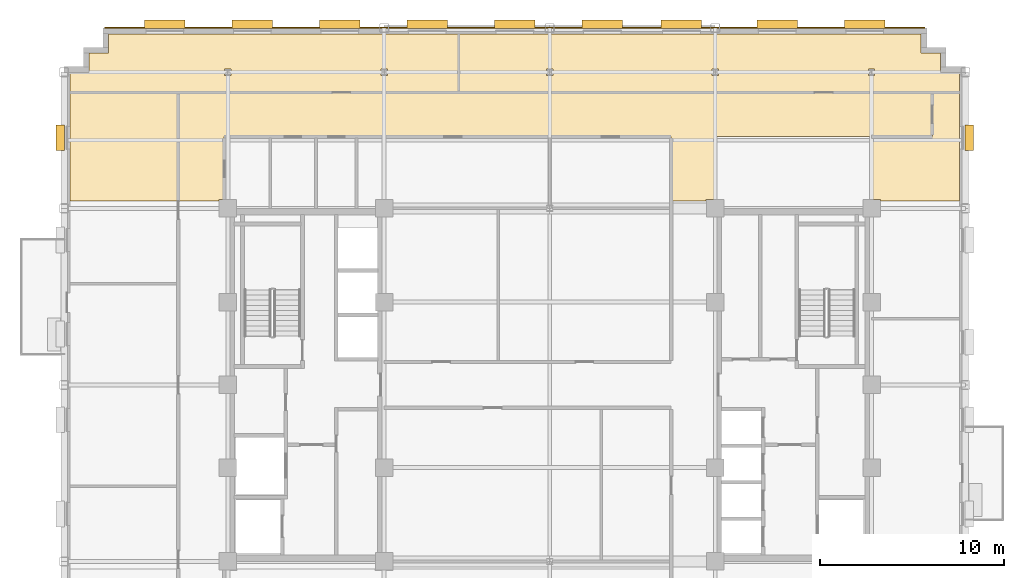
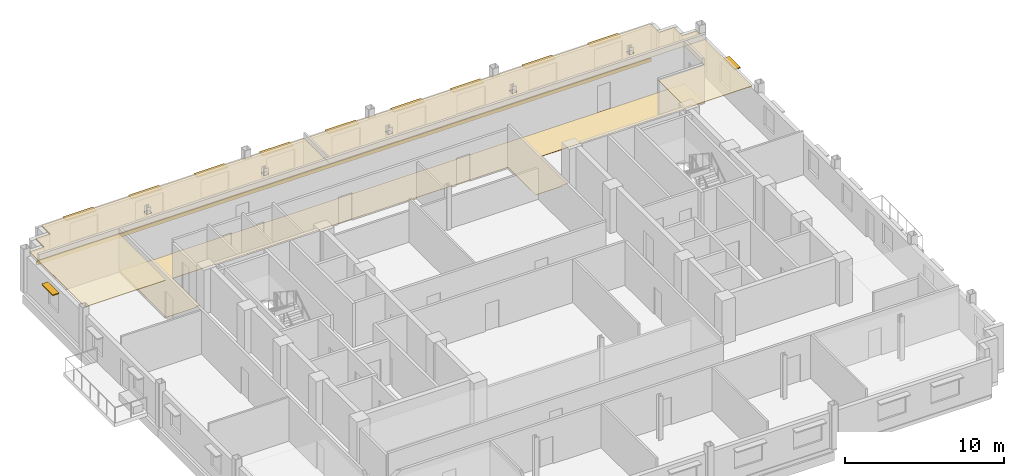
# One storey, part 15 of 15: 11 shading devices, 6 coverings.
"""IFC4 building model written with IfcOpenShell, lengths in metres."""

from ifc_helpers import new_model, si_unit, direction, frame, origin, origin_2d, place, context, subcontext, project, spatial, polyline, rectangle, outline, extrude, source, transform, mapped, material, layer, layer_set, type_object, type_shapes, element, save


model = new_model("IFC4")

# Units and contexts
model_context = context("Model", 3, precision=1e-05, world=origin(), true_north=direction((0.0, 1.0)))
body_context = subcontext(model_context, "Body", "Model", "MODEL_VIEW")
ifc_project = project(units=[si_unit("LENGTHUNIT", "METRE"), si_unit("AREAUNIT", "SQUARE_METRE"), si_unit("VOLUMEUNIT", "CUBIC_METRE"), si_unit("PLANEANGLEUNIT", "RADIAN"), si_unit("MASSUNIT", "GRAM", prefix="KILO")], contexts=[model_context])

# Site, building, storey
site_placement = place(None, origin())
site = spatial("IfcSite", under=ifc_project, at=site_placement, CompositionType="ELEMENT")
building_placement = place(site_placement, origin())
building = spatial("IfcBuilding", under=site, at=building_placement, Name="Nuvemarco Arch Tower", CompositionType="ELEMENT")
storey_placement = place(building_placement, frame((0.0, 0.0, 194.550048828125)))
storey = spatial("IfcBuildingStorey", under=building, at=storey_placement, Name="L51", CompositionType="ELEMENT", Elevation=194.550048828125)

# Coverings
ifc_material_1 = material(Name="Mineral acoustic ceiling tile")
ifc_layer_1 = layer(ifc_material_1, 0.0400390625, Name="COV-ACOUSTIC-CLG")
ifc_layer_set_1 = layer_set([ifc_layer_1], Name="Mineral acoustic ceiling tile")
covering_type_1 = type_object("IfcCoveringType", Name="COV-ACOUSTIC-CLG", PredefinedType="CEILING", material=ifc_layer_set_1)
covering_1_placement = place(storey_placement, frame((0.0, 0.0, 2.849853515625)))
element("IfcCovering", 1, at=covering_1_placement, inside=storey, type_object=covering_type_1, Name="L51 suspended acoustic ceiling 3", PredefinedType="CEILING", context=body_context, shape_type="SweptSolid", body=[
    extrude(outline(polyline([(22.2900390625, 16.989990234375), (22.2900390625, 15.89990234375), (20.800048828125, 15.89990234375), (9.0, 15.89990234375), (6.60009765625, 15.89990234375), (-4.93994140625, 15.89990234375), (-4.93994140625, 19.090087890625), (20.18994140625, 19.090087890625), (20.18994140625, 18.0400390625), (21.239990234375, 18.0400390625), (21.239990234375, 16.989990234375), (22.2900390625, 16.989990234375)]), holes=[polyline([(0.169921875, 16.830078125), (0.169921875, 17.169921875), (-0.169921875, 17.169921875), (-0.169921875, 16.830078125), (0.169921875, 16.830078125)]), polyline([(9.169921875, 17.169921875), (8.830078125, 17.169921875), (8.830078125, 16.830078125), (9.169921875, 16.830078125), (9.169921875, 17.169921875)]), polyline([(17.669921875, 16.830078125), (17.669921875, 17.169921875), (17.330078125, 17.169921875), (17.330078125, 16.830078125), (17.669921875, 16.830078125)])]), origin(), (0.0, 0.0, 1.0), 0.0400390625),
])
covering_2_placement = place(storey_placement, frame((0.0, 0.0, 2.849853515625)))
element("IfcCovering", 2, at=covering_2_placement, inside=storey, type_object=covering_type_1, Name="L51 suspended acoustic ceiling 5", PredefinedType="CEILING", context=body_context, shape_type="SweptSolid", body=[
    extrude(outline(polyline([(-25.0400390625, 16.989990234375), (-25.0400390625, 18.0400390625), (-23.989990234375, 18.0400390625), (-23.989990234375, 19.090087890625), (-4.93994140625, 19.090087890625), (-4.93994140625, 15.89990234375), (-17.699951171875, 15.89990234375), (-20.199951171875, 15.89990234375), (-26.090087890625, 15.89990234375), (-26.090087890625, 16.989990234375), (-25.0400390625, 16.989990234375)]), holes=[polyline([(-17.330078125, 16.830078125), (-17.330078125, 17.169921875), (-17.669921875, 17.169921875), (-17.669921875, 16.830078125), (-17.330078125, 16.830078125)]), polyline([(-8.830078125, 16.830078125), (-8.830078125, 17.169921875), (-9.169921875, 17.169921875), (-9.169921875, 16.830078125), (-8.830078125, 16.830078125)])]), origin(), (0.0, 0.0, 1.0), 0.0400390625),
])
covering_3_placement = place(storey_placement, frame((0.0, 0.0, 2.849853515625)))
element("IfcCovering", 3, at=covering_3_placement, inside=storey, type_object=covering_type_1, Name="L51 suspended acoustic ceiling 7", PredefinedType="CEILING", context=body_context, shape_type="SweptSolid", body=[
    extrude(outline(polyline([(-20.199951171875, 10.0), (-26.090087890625, 10.0), (-26.090087890625, 15.89990234375), (-20.199951171875, 15.89990234375), (-20.199951171875, 13.5), (-20.199951171875, 10.0)])), origin(), (0.0, 0.0, 1.0), 0.0400390625),
])
covering_4_placement = place(storey_placement, frame((0.0, 0.0, 2.849853515625)))
element("IfcCovering", 4, at=covering_4_placement, inside=storey, type_object=covering_type_1, Name="L51 suspended acoustic ceiling 9", PredefinedType="CEILING", context=body_context, shape_type="SweptSolid", body=[
    extrude(outline(polyline([(17.989990234375, 10.090087890625), (17.5, 10.090087890625), (17.5, 13.5), (20.800048828125, 13.5), (20.800048828125, 15.89990234375), (22.2900390625, 15.89990234375), (22.2900390625, 10.0), (17.989990234375, 10.0), (17.989990234375, 10.090087890625)])), origin(), (0.0, 0.0, 1.0), 0.0400390625),
])
ifc_material_2 = material(Name="Polished granite terrazzostone flooring", Category="masonry")
ifc_layer_2 = layer(ifc_material_2, 0.02001953125, Name="COV-LOBBY-FLR")
ifc_layer_set_2 = layer_set([ifc_layer_2], Name="Polished granite terrazzostone flooring")
covering_type_2 = type_object("IfcCoveringType", Name="COV-LOBBY-FLR", PredefinedType="FLOORING", material=ifc_layer_set_2)
covering_5_placement = place(storey_placement, origin())
element("IfcCovering", 5, at=covering_5_placement, inside=storey, type_object=covering_type_2, Name="L51 polished terrazzo lobby flooring", PredefinedType="FLOORING", context=body_context, shape_type="SweptSolid", body=[
    extrude(outline(polyline([(-20.199951171875, 13.5), (-20.199951171875, 15.89990234375), (-17.699951171875, 15.89990234375), (6.60009765625, 15.89990234375), (9.0, 15.89990234375), (20.800048828125, 15.89990234375), (20.800048828125, 13.5), (9.0, 13.5), (9.0, 10.090087890625), (8.510009765625, 10.090087890625), (8.510009765625, 10.0), (6.60009765625, 10.0), (6.60009765625, 13.5), (-17.699951171875, 13.5), (-17.699951171875, 10.090087890625), (-17.989990234375, 10.090087890625), (-17.989990234375, 10.0), (-20.199951171875, 10.0), (-20.199951171875, 13.5)])), origin(), (0.0, 0.0, 1.0), 0.02001953125),
])

# Shading devices
ifc_material_3 = material(Name="Anodised aluminium 6063-T6", Category="aluminium")
shading_device_type_1 = type_object("IfcShadingDeviceType", Name="SHD-BRISE-SOLEIL", PredefinedType="USERDEFINED", material=ifc_material_3)
shared_shape_1 = source(origin(), body_context, "Body", "SweptSolid", [
    extrude(rectangle(XDim=2.199951171875, YDim=0.449951171875, at=origin_2d()), origin(), (0.0, 0.0, 1.0), 0.080078125),
])
type_shapes(shading_device_type_1, [shared_shape_1])
for number, where, z_axis, x_axis, name in (
    (6, (-20.922119140625, 19.614990234375, 2.324951171875), (0.0, 0.0, 1.0), (1.0, 0.0, 0.0), "L51 horizontal brise-soleil sunshade"),
    (7, (-16.166748046875, 19.614990234375, 2.324951171875), (0.0, 0.0, 1.0), (1.0, 0.0, 0.0), "L51 horizontal brise-soleil sunshade"),
    (8, (-11.4111328125, 19.614990234375, 2.324951171875), (0.0, 0.0, 1.0), (1.0, 0.0, 0.0), "L51 horizontal brise-soleil sunshade"),
    (9, (-6.655517578125, 19.614990234375, 2.324951171875), (0.0, 0.0, 1.0), (1.0, 0.0, 0.0), "L51 horizontal brise-soleil sunshade"),
    (10, (-1.89990234375, 19.614990234375, 2.324951171875), (0.0, 0.0, 1.0), (1.0, 0.0, 0.0), "L51 horizontal brise-soleil sunshade"),
    (11, (2.855712890625, 19.614990234375, 2.324951171875), (0.0, 0.0, 1.0), (1.0, 0.0, 0.0), "L51 horizontal brise-soleil sunshade"),
    (12, (7.1611328125, 19.614990234375, 2.324951171875), (0.0, 0.0, 1.0), (1.0, 0.0, 0.0), "L51 horizontal brise-soleil sunshade"),
    (13, (12.36669921875, 19.614990234375, 2.324951171875), (0.0, 0.0, 1.0), (1.0, 0.0, 0.0), "L51 horizontal brise-soleil sunshade"),
    (14, (17.122314453125, 19.614990234375, 2.324951171875), (0.0, 0.0, 1.0), (1.0, 0.0, 0.0), "L51 horizontal brise-soleil sunshade"),
):
    element("IfcShadingDevice", number, at=place(storey_placement, frame(where, z_axis=z_axis, x_axis=x_axis)), inside=storey, type_object=shading_device_type_1, Name=name, ObjectType="SUNSHADE", PredefinedType="USERDEFINED", context=body_context, shape_type="MappedRepresentation", body=[
        mapped(shared_shape_1, transform((0.0, 0.0, 0.0), scale=1.0)),
    ])
shading_device_type_2 = type_object("IfcShadingDeviceType", Name="SHD-BRISE-NARROW", PredefinedType="USERDEFINED", material=ifc_material_3)
shared_shape_2 = source(origin(), body_context, "Body", "SweptSolid", [
    extrude(rectangle(XDim=1.39990234375, YDim=0.449951171875, at=origin_2d()), origin(), (0.0, 0.0, 1.0), 0.080078125),
])
type_shapes(shading_device_type_2, [shared_shape_2])
for number, where, z_axis, x_axis, name in (
    (15, (22.81494140625, 13.437744140625, 2.324951171875), (0.0, 0.0, 1.0), (0.0, 1.0, 0.0), "L51 horizontal brise-soleil sunshade"),
    (16, (-26.614990234375, 13.437744140625, 2.324951171875), (0.0, 0.0, 1.0), (0.0, 1.0, 0.0), "L51 horizontal brise-soleil sunshade"),
):
    element("IfcShadingDevice", number, at=place(storey_placement, frame(where, z_axis=z_axis, x_axis=x_axis)), inside=storey, type_object=shading_device_type_2, Name=name, ObjectType="SUNSHADE", PredefinedType="USERDEFINED", context=body_context, shape_type="MappedRepresentation", body=[
        mapped(shared_shape_2, transform((0.0, 0.0, 0.0), scale=1.0)),
    ])

# Covering
ifc_material_4 = material(Name="Precast concrete C45/55", Category="concrete")
ifc_layer_3 = layer(ifc_material_4, 0.06005859375, Name="COV-SPANDREL-CLAD")
ifc_layer_set_3 = layer_set([ifc_layer_3], Name="Precast concrete C45/55")
covering_type_3 = type_object("IfcCoveringType", Name="COV-SPANDREL-CLAD", PredefinedType="CLADDING", material=ifc_layer_set_3)
shared_shape_3 = source(origin(), body_context, "Body", "SweptSolid", [
    extrude(rectangle(XDim=44.60009765625, YDim=0.06005859375, at=origin_2d()), origin(), (0.0, 0.0, 1.0), 0.280029296875),
])
type_shapes(covering_type_3, [shared_shape_3])
covering_6_placement = place(storey_placement, frame((-1.89990234375, 19.428955078125, -0.2802734375), z_axis=(0.0, 0.0, 1.0), x_axis=(1.0, 0.0, 0.0)))
element("IfcCovering", 17, at=covering_6_placement, inside=storey, type_object=covering_type_3, Name="L51 precast spandrel edge cladding north", PredefinedType="CLADDING", context=body_context, shape_type="MappedRepresentation", body=[
    mapped(shared_shape_3, transform((0.0, 0.0, 0.0), scale=1.0)),
])

save(model, "model.ifc")
